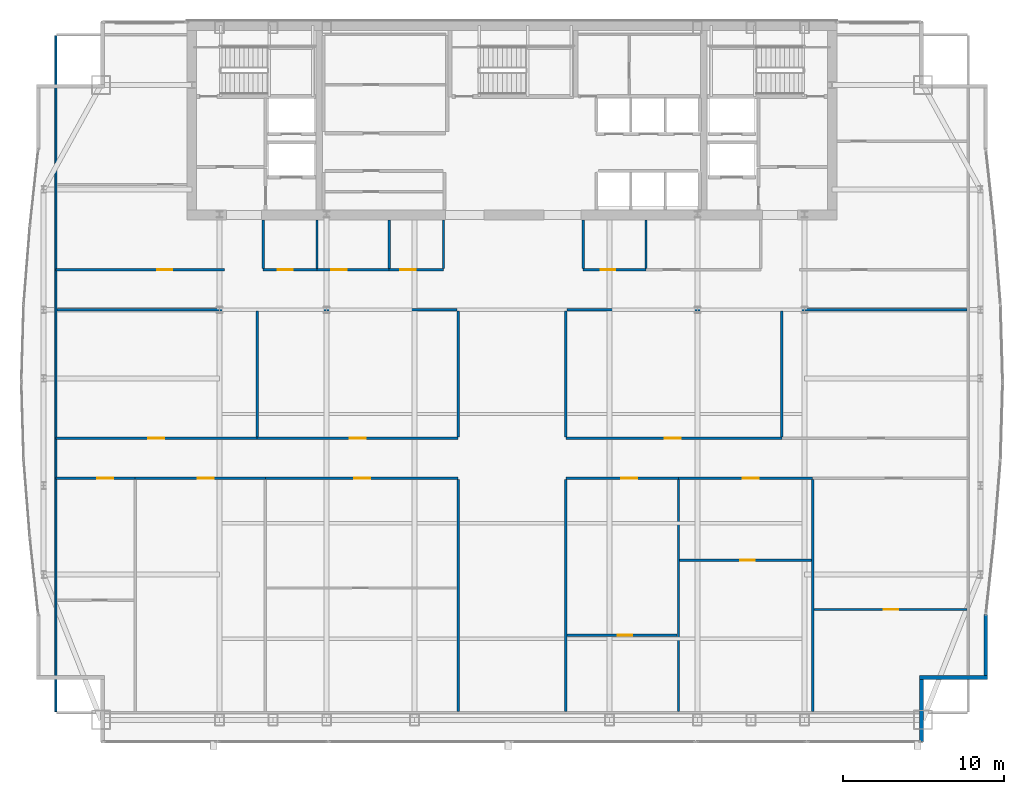
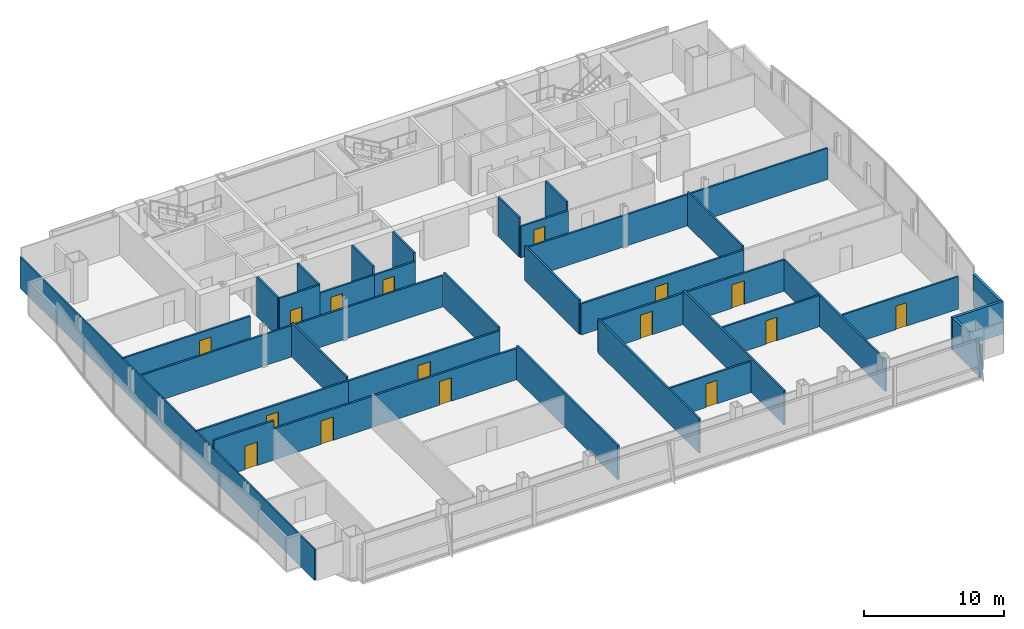
# One storey, part 27 of 32: 36 walls, 16 doors, 16 openings.
"""IFC4 building model written with IfcOpenShell, lengths in metres."""

from ifc_helpers import new_model, si_unit, direction, frame, frame_2d, origin, place, context, subcontext, project, spatial, rectangle, extrude, material, layer, layer_set, type_object, element, fill, save


model = new_model("IFC4")

# Units and contexts
model_context = context("Model", 3, precision=1e-05, world=origin(), true_north=direction((0.0, 1.0)))
body_context = subcontext(model_context, "Body", "Model", "MODEL_VIEW")
ifc_project = project(units=[si_unit("LENGTHUNIT", "METRE"), si_unit("AREAUNIT", "SQUARE_METRE"), si_unit("VOLUMEUNIT", "CUBIC_METRE"), si_unit("PLANEANGLEUNIT", "RADIAN"), si_unit("MASSUNIT", "GRAM", prefix="KILO")], contexts=[model_context])

# Site, building, storey
site_placement = place(None, origin())
site = spatial("IfcSite", under=ifc_project, at=site_placement, CompositionType="ELEMENT")
building_placement = place(site_placement, origin())
building = spatial("IfcBuilding", under=site, at=building_placement, Name="Khoronbel Lancet Exchange", CompositionType="ELEMENT")
storey_placement = place(building_placement, frame((0.0, 0.0, 192.199951171875)))
storey = spatial("IfcBuildingStorey", under=building, at=storey_placement, Name="L48", CompositionType="ELEMENT", Elevation=192.199951171875)

# Walls
ifc_material_1 = material(Name="Precast concrete C40/50", Category="concrete")
ifc_layer_1 = layer(ifc_material_1, 0.25, Name="Precast concrete C40/50")
ifc_layer_set_1 = layer_set([ifc_layer_1], Name="Precast concrete C40/50")
wall_type_1 = type_object("IfcWallType", Name="WL-EXT250", PredefinedType="SOLIDWALL", material=ifc_layer_set_1)
wall_1_placement = place(storey_placement, frame((65.9599609375, 16.724853515625, 0.0), z_axis=(0.0, 0.0, 1.0), x_axis=(0.0, -1.0, 0.0)))
element("IfcWall", 1, at=wall_1_placement, inside=storey, type_object=wall_type_1, Name="Level L48 notched-corner limestone pier 23", PredefinedType="SOLIDWALL", context=body_context, shape_type="SweptSolid", body=[
    extrude(rectangle(XDim=3.824951171875, YDim=0.219970703125, at=frame_2d((1.91259765625, 0.0))), origin(), (0.0, 0.0, 1.0), 2.830078125),
])
wall_2_placement = place(storey_placement, frame((66.070068359375, 12.7900390625, 0.0), z_axis=(0.0, 0.0, 1.0), x_axis=(-1.0, 0.0, 0.0)))
element("IfcWall", 2, at=wall_2_placement, inside=storey, type_object=wall_type_1, Name="Level L48 notched-corner limestone pier 24", PredefinedType="SOLIDWALL", context=body_context, shape_type="SweptSolid", body=[
    extrude(rectangle(XDim=4.219970703125, YDim=0.219970703125, at=frame_2d((2.10986328125, 0.0))), origin(), (0.0, 0.0, 1.0), 2.830078125),
])
wall_3_placement = place(storey_placement, frame((61.9599609375, 12.679931640625, 0.0), z_axis=(0.0, 0.0, 1.0), x_axis=(0.0, -1.0, 0.0)))
element("IfcWall", 3, at=wall_3_placement, inside=storey, type_object=wall_type_1, Name="Level L48 notched-corner limestone pier 25", PredefinedType="SOLIDWALL", context=body_context, shape_type="SweptSolid", body=[
    extrude(rectangle(XDim=3.909912109375, YDim=0.219970703125, at=frame_2d((1.955078125, 0.0))), origin(), (0.0, 0.0, 1.0), 2.830078125),
])
ifc_material_2 = material(Name="Acoustic Metal-Stud & Mineral-Wool Gypsum Partition 120 mm", Category="gypsum")
ifc_layer_2 = layer(ifc_material_2, 0.1201171875, Name="Acoustic Metal-Stud & Mineral-Wool Gypsum Partition 120 mm")
ifc_layer_set_2 = layer_set([ifc_layer_2], Name="Acoustic Metal-Stud & Mineral-Wool Gypsum Partition 120 mm")
wall_type_2 = type_object("IfcWallType", Name="WL-PRT120", PredefinedType="PARTITIONING", material=ifc_layer_set_2)
for number, where, z_axis, x_axis, name in (
    (4, (20.949951171875, 38.280029296875, 0.0), (0.0, 0.0, 1.0), (0.0, 1.0, 0.0), "Level L48 interior partition PW-WC-0"),
    (5, (24.300048828125, 38.280029296875, 0.0), (0.0, 0.0, 1.0), (0.0, 1.0, 0.0), "Level L48 interior partition PW-WC-1"),
    (6, (28.800048828125, 38.280029296875, 0.0), (0.0, 0.0, 1.0), (0.0, 1.0, 0.0), "Level L48 interior partition PW-WC-2"),
    (7, (32.179931640625, 38.280029296875, 0.0), (0.0, 0.0, 1.0), (0.0, 1.0, 0.0), "Level L48 interior partition PW-WC-3"),
    (8, (40.8798828125, 38.280029296875, 0.0), (0.0, 0.0, 1.0), (0.0, 1.0, 0.0), "Level L48 interior partition PW-NP-0"),
    (9, (44.800048828125, 38.280029296875, 0.0), (0.0, 0.0, 1.0), (0.0, 1.0, 0.0), "Level L48 interior partition PW-NP-M"),
):
    element("IfcWall", number, at=place(storey_placement, frame(where, z_axis=z_axis, x_axis=x_axis)), inside=storey, type_object=wall_type_2, Name=name, PredefinedType="PARTITIONING", context=body_context, shape_type="SweptSolid", body=[
        extrude(rectangle(XDim=3.02001953125, YDim=0.14990234375, at=frame_2d((1.510009765625, 0.0))), origin(), (0.0, 0.0, 1.0), 3.43994140625),
    ])

# Wall, opening, door
wall_4_placement = place(storey_placement, frame((39.8798828125, 15.41796875, 0.0), z_axis=(0.0, 0.0, 1.0), x_axis=(1.0, 0.0, 0.0)))
wall_4 = element("IfcWall", 10, at=wall_4_placement, inside=storey, type_object=wall_type_2, Name="Level L48 interior partition PW-Z3SE-H1", PredefinedType="PARTITIONING", context=body_context, shape_type="SweptSolid", body=[
    extrude(rectangle(XDim=6.859619140625, YDim=0.14990234375, at=frame_2d((3.4296875, 0.0))), origin(), (0.0, 0.0, 1.0), 2.72998046875),
])
opening_1_placement = place(wall_4_placement, frame((3.15869140625, 0.0, 0.0)))
opening_1 = element("IfcOpeningElement", 11, at=opening_1_placement, cuts=wall_4, Name="Opening D5", PredefinedType="OPENING", context=body_context, shape_type="SweptSolid", body=[
    extrude(rectangle(XDim=0.89990234375, YDim=2.050048828125, at=frame_2d((0.449951171875, 1.02490234375))), frame((0.0, 0.0849609375, 0.0), z_axis=(0.0, -1.0, 0.0), x_axis=(1.0, 0.0, 0.0)), (0.0, 0.0, 1.0), 0.169921875),
])
ifc_material_3 = material(Name="Acoustic Timber Pantry & Support Door", Category="wood")
door_type_1 = type_object("IfcDoorType", Name="DR-D5", OperationType="NOTDEFINED", PredefinedType="DOOR", material=ifc_material_3)
door_1_placement = place(opening_1_placement, origin())
door_1 = element("IfcDoor", 12, at=door_1_placement, inside=storey, type_object=door_type_1, Name="Z3SE inner door 1 L48-1", OperationType="SINGLE_SWING_RIGHT", OverallHeight=2.050048828125, OverallWidth=0.89990234375, PredefinedType="DOOR", context=body_context, shape_type="SweptSolid", body=[
    extrude(rectangle(XDim=0.89990234375, YDim=2.050048828125, at=frame_2d((0.449951171875, 1.02490234375))), frame((0.0, 0.02490234375, 0.0), z_axis=(0.0, -1.0, 0.0), x_axis=(1.0, 0.0, 0.0)), (0.0, 0.0, 1.0), 0.050048828125),
])
fill(opening_1, door_1)

wall_5_placement = place(storey_placement, frame((46.899658203125, 20.090087890625, 0.0), z_axis=(0.0, 0.0, 1.0), x_axis=(1.0, 0.0, 0.0)))
wall_5 = element("IfcWall", 13, at=wall_5_placement, inside=storey, type_object=wall_type_2, Name="Level L48 interior partition PW-Z3SE-H2", PredefinedType="PARTITIONING", context=body_context, shape_type="SweptSolid", body=[
    extrude(rectangle(XDim=8.196533203125, YDim=0.14990234375, at=frame_2d((4.09814453125, 0.0))), origin(), (0.0, 0.0, 1.0), 2.72998046875),
])
opening_2_placement = place(wall_5_placement, frame((3.760498046875, 0.0, 0.0)))
opening_2 = element("IfcOpeningElement", 14, at=opening_2_placement, cuts=wall_5, Name="Opening D5", PredefinedType="OPENING", context=body_context, shape_type="SweptSolid", body=[
    extrude(rectangle(XDim=0.89990234375, YDim=2.050048828125, at=frame_2d((0.449951171875, 1.02490234375))), frame((0.0, 0.0849609375, 0.0), z_axis=(0.0, -1.0, 0.0), x_axis=(1.0, 0.0, 0.0)), (0.0, 0.0, 1.0), 0.169921875),
])
door_2_placement = place(opening_2_placement, origin())
door_2 = element("IfcDoor", 15, at=door_2_placement, inside=storey, type_object=door_type_1, Name="Z3SE inner door 2 L48-1", OperationType="SINGLE_SWING_RIGHT", OverallHeight=2.050048828125, OverallWidth=0.89990234375, PredefinedType="DOOR", context=body_context, shape_type="SweptSolid", body=[
    extrude(rectangle(XDim=0.89990234375, YDim=2.050048828125, at=frame_2d((0.449951171875, 1.02490234375))), frame((0.0, 0.02490234375, 0.0), z_axis=(0.0, -1.0, 0.0), x_axis=(1.0, 0.0, 0.0)), (0.0, 0.0, 1.0), 0.050048828125),
])
fill(opening_2, door_2)

wall_6_placement = place(storey_placement, frame((55.25634765625, 17.02392578125, 0.0), z_axis=(0.0, 0.0, 1.0), x_axis=(1.0, 0.0, 0.0)))
wall_6 = element("IfcWall", 16, at=wall_6_placement, inside=storey, type_object=wall_type_2, Name="Level L48 interior partition PW-Z3SE-H3", PredefinedType="PARTITIONING", context=body_context, shape_type="SweptSolid", body=[
    extrude(rectangle(XDim=9.548583984375, YDim=0.14990234375, at=frame_2d((4.7744140625, 0.0))), origin(), (0.0, 0.0, 1.0), 2.830078125),
])
opening_3_placement = place(wall_6_placement, frame((4.3623046875, 0.0, 0.0)))
opening_3 = element("IfcOpeningElement", 17, at=opening_3_placement, cuts=wall_6, Name="Opening D5", PredefinedType="OPENING", context=body_context, shape_type="SweptSolid", body=[
    extrude(rectangle(XDim=0.89990234375, YDim=2.050048828125, at=frame_2d((0.449951171875, 1.02490234375))), frame((0.0, 0.0849609375, 0.0), z_axis=(0.0, -1.0, 0.0), x_axis=(1.0, 0.0, 0.0)), (0.0, 0.0, 1.0), 0.169921875),
])
door_3_placement = place(opening_3_placement, origin())
door_3 = element("IfcDoor", 18, at=door_3_placement, inside=storey, type_object=door_type_1, Name="Z3SE inner door 3 L48-1", OperationType="SINGLE_SWING_RIGHT", OverallHeight=2.050048828125, OverallWidth=0.89990234375, PredefinedType="DOOR", context=body_context, shape_type="SweptSolid", body=[
    extrude(rectangle(XDim=0.89990234375, YDim=2.050048828125, at=frame_2d((0.449951171875, 1.02490234375))), frame((0.0, 0.02490234375, 0.0), z_axis=(0.0, -1.0, 0.0), x_axis=(1.0, 0.0, 0.0)), (0.0, 0.0, 1.0), 0.050048828125),
])
fill(opening_3, door_3)

# Wall
wall_7_placement = place(storey_placement, frame((8.030029296875, 10.6650390625, 0.0), z_axis=(0.0, 0.0, 1.0), x_axis=(0.0, 1.0, 0.0)))
element("IfcWall", 19, at=wall_7_placement, inside=storey, type_object=wall_type_2, Name="Level L48 interior partition PW-LIN-W", PredefinedType="PARTITIONING", context=body_context, shape_type="SweptSolid", body=[
    extrude(rectangle(XDim=42.10986328125, YDim=0.1201171875, at=frame_2d((21.054931640625, 0.0))), origin(), (0.0, 0.0, 1.0), 2.72998046875),
])

# Wall, opening, door
ifc_material_4 = material(Name="Fire-Rated Twin-Stud Acoustic Gypsum Partition 150 mm", Category="gypsum")
ifc_layer_3 = layer(ifc_material_4, 0.14990234375, Name="Fire-Rated Twin-Stud Acoustic Gypsum Partition 150 mm")
ifc_layer_set_3 = layer_set([ifc_layer_3], Name="Fire-Rated Twin-Stud Acoustic Gypsum Partition 150 mm")
wall_type_3 = type_object("IfcWallType", Name="WL-PRT150C", PredefinedType="PARTITIONING", material=ifc_layer_set_3)
wall_8_placement = place(storey_placement, frame((20.949951171875, 38.199951171875, 0.0), z_axis=(0.0, 0.0, 1.0), x_axis=(1.0, 0.0, 0.0)))
wall_8 = element("IfcWall", 20, at=wall_8_placement, inside=storey, type_object=wall_type_3, Name="Level L48 interior partition PW-WC-S1", PredefinedType="PARTITIONING", context=body_context, shape_type="SweptSolid", body=[
    extrude(rectangle(XDim=3.35009765625, YDim=0.14990234375, at=frame_2d((1.675048828125, 0.0))), origin(), (0.0, 0.0, 1.0), 3.43994140625),
])
opening_4_placement = place(wall_8_placement, frame((0.89990234375, 0.0, 0.0)))
opening_4 = element("IfcOpeningElement", 21, at=opening_4_placement, cuts=wall_8, Name="Opening D4", PredefinedType="OPENING", context=body_context, shape_type="SweptSolid", body=[
    extrude(rectangle(XDim=0.949951171875, YDim=2.050048828125, at=frame_2d((0.47509765625, 1.02490234375))), frame((0.0, 0.0849609375, 0.0), z_axis=(0.0, -1.0, 0.0), x_axis=(1.0, 0.0, 0.0)), (0.0, 0.0, 1.0), 0.169921875),
])
ifc_material_5 = material(Name="Moisture-Resistant HPL Washroom Door", Category="wood")
door_type_2 = type_object("IfcDoorType", Name="DR-D4", OperationType="NOTDEFINED", PredefinedType="DOOR", material=ifc_material_5)
door_4_placement = place(opening_4_placement, origin())
door_4 = element("IfcDoor", 22, at=door_4_placement, inside=storey, type_object=door_type_2, Name="Male washroom door L48-1", OperationType="SINGLE_SWING_LEFT", OverallHeight=2.050048828125, OverallWidth=0.949951171875, PredefinedType="DOOR", context=body_context, shape_type="SweptSolid", body=[
    extrude(rectangle(XDim=0.949951171875, YDim=2.050048828125, at=frame_2d((0.47509765625, 1.02490234375))), frame((0.0, 0.02490234375, 0.0), z_axis=(0.0, -1.0, 0.0), x_axis=(1.0, 0.0, 0.0)), (0.0, 0.0, 1.0), 0.050048828125),
])
fill(opening_4, door_4)

wall_9_placement = place(storey_placement, frame((24.300048828125, 38.199951171875, 0.0), z_axis=(0.0, 0.0, 1.0), x_axis=(1.0, 0.0, 0.0)))
wall_9 = element("IfcWall", 23, at=wall_9_placement, inside=storey, type_object=wall_type_3, Name="Level L48 interior partition PW-WC-S2", PredefinedType="PARTITIONING", context=body_context, shape_type="SweptSolid", body=[
    extrude(rectangle(XDim=4.5, YDim=0.14990234375, at=frame_2d((2.25, 0.0))), origin(), (0.0, 0.0, 1.0), 2.72998046875),
])
opening_5_placement = place(wall_9_placement, frame((0.89990234375, 0.0, 0.0)))
opening_5 = element("IfcOpeningElement", 24, at=opening_5_placement, cuts=wall_9, Name="Opening D4", PredefinedType="OPENING", context=body_context, shape_type="SweptSolid", body=[
    extrude(rectangle(XDim=0.949951171875, YDim=2.050048828125, at=frame_2d((0.47509765625, 1.02490234375))), frame((0.0, 0.0849609375, 0.0), z_axis=(0.0, -1.0, 0.0), x_axis=(1.0, 0.0, 0.0)), (0.0, 0.0, 1.0), 0.169921875),
])
door_5_placement = place(opening_5_placement, origin())
door_5 = element("IfcDoor", 25, at=door_5_placement, inside=storey, type_object=door_type_2, Name="Female washroom door L48-1", OperationType="SINGLE_SWING_RIGHT", OverallHeight=2.050048828125, OverallWidth=0.949951171875, PredefinedType="DOOR", context=body_context, shape_type="SweptSolid", body=[
    extrude(rectangle(XDim=0.949951171875, YDim=2.050048828125, at=frame_2d((0.47509765625, 1.02490234375))), frame((0.0, 0.02490234375, 0.0), z_axis=(0.0, -1.0, 0.0), x_axis=(1.0, 0.0, 0.0)), (0.0, 0.0, 1.0), 0.050048828125),
])
fill(opening_5, door_5)

wall_10_placement = place(storey_placement, frame((28.800048828125, 38.199951171875, 0.0), z_axis=(0.0, 0.0, 1.0), x_axis=(1.0, 0.0, 0.0)))
wall_10 = element("IfcWall", 26, at=wall_10_placement, inside=storey, type_object=wall_type_3, Name="Level L48 interior partition PW-WC-S3", PredefinedType="PARTITIONING", context=body_context, shape_type="SweptSolid", body=[
    extrude(rectangle(XDim=3.3798828125, YDim=0.14990234375, at=frame_2d((1.68994140625, 0.0))), origin(), (0.0, 0.0, 1.0), 2.72998046875),
])
opening_6_placement = place(wall_10_placement, frame((0.699951171875, 0.0, 0.0)))
opening_6 = element("IfcOpeningElement", 27, at=opening_6_placement, cuts=wall_10, Name="Opening D4", PredefinedType="OPENING", context=body_context, shape_type="SweptSolid", body=[
    extrude(rectangle(XDim=0.949951171875, YDim=2.050048828125, at=frame_2d((0.47509765625, 1.02490234375))), frame((0.0, 0.0849609375, 0.0), z_axis=(0.0, -1.0, 0.0), x_axis=(1.0, 0.0, 0.0)), (0.0, 0.0, 1.0), 0.169921875),
])
door_6_placement = place(opening_6_placement, origin())
door_6 = element("IfcDoor", 28, at=door_6_placement, inside=storey, type_object=door_type_2, Name="Accessible WC door L48-1", OperationType="SINGLE_SWING_LEFT", OverallHeight=2.050048828125, OverallWidth=0.949951171875, PredefinedType="DOOR", context=body_context, shape_type="SweptSolid", body=[
    extrude(rectangle(XDim=0.949951171875, YDim=2.050048828125, at=frame_2d((0.47509765625, 1.02490234375))), frame((0.0, 0.02490234375, 0.0), z_axis=(0.0, -1.0, 0.0), x_axis=(1.0, 0.0, 0.0)), (0.0, 0.0, 1.0), 0.050048828125),
])
fill(opening_6, door_6)

wall_11_placement = place(storey_placement, frame((40.8798828125, 38.199951171875, 0.0), z_axis=(0.0, 0.0, 1.0), x_axis=(1.0, 0.0, 0.0)))
wall_11 = element("IfcWall", 29, at=wall_11_placement, inside=storey, type_object=wall_type_3, Name="Level L48 interior partition PW-NP-S1", PredefinedType="PARTITIONING", context=body_context, shape_type="SweptSolid", body=[
    extrude(rectangle(XDim=3.920166015625, YDim=0.14990234375, at=frame_2d((1.9599609375, 0.0))), origin(), (0.0, 0.0, 1.0), 2.72998046875),
])
opening_7_placement = place(wall_11_placement, frame((1.10009765625, 0.0, 0.0)))
opening_7 = element("IfcOpeningElement", 30, at=opening_7_placement, cuts=wall_11, Name="Opening D5", PredefinedType="OPENING", context=body_context, shape_type="SweptSolid", body=[
    extrude(rectangle(XDim=0.89990234375, YDim=2.050048828125, at=frame_2d((0.449951171875, 1.02490234375))), frame((0.0, 0.0849609375, 0.0), z_axis=(0.0, -1.0, 0.0), x_axis=(1.0, 0.0, 0.0)), (0.0, 0.0, 1.0), 0.169921875),
])
door_7_placement = place(opening_7_placement, origin())
door_7 = element("IfcDoor", 31, at=door_7_placement, inside=storey, type_object=door_type_1, Name="Floor refreshment pantry door L48-1", OperationType="SINGLE_SWING_RIGHT", OverallHeight=2.050048828125, OverallWidth=0.89990234375, PredefinedType="DOOR", context=body_context, shape_type="SweptSolid", body=[
    extrude(rectangle(XDim=0.89990234375, YDim=2.050048828125, at=frame_2d((0.449951171875, 1.02490234375))), frame((0.0, 0.02490234375, 0.0), z_axis=(0.0, -1.0, 0.0), x_axis=(1.0, 0.0, 0.0)), (0.0, 0.0, 1.0), 0.050048828125),
])
fill(opening_7, door_7)

wall_12_placement = place(storey_placement, frame((8.030029296875, 38.199951171875, 0.0), z_axis=(0.0, 0.0, 1.0), x_axis=(1.0, 0.0, 0.0)))
wall_12 = element("IfcWall", 32, at=wall_12_placement, inside=storey, type_object=wall_type_3, Name="Level L48 interior partition PW-NW-S", PredefinedType="PARTITIONING", context=body_context, shape_type="SweptSolid", body=[
    extrude(rectangle(XDim=10.52001953125, YDim=0.14990234375, at=frame_2d((5.260009765625, 0.0))), origin(), (0.0, 0.0, 1.0), 2.72998046875),
])
opening_8_placement = place(wall_12_placement, frame((6.320068359375, 0.0, 0.0)))
opening_8 = element("IfcOpeningElement", 33, at=opening_8_placement, cuts=wall_12, Name="Opening D1", PredefinedType="OPENING", context=body_context, shape_type="SweptSolid", body=[
    extrude(rectangle(XDim=0.949951171875, YDim=2.050048828125, at=frame_2d((0.47509765625, 1.02490234375))), frame((0.0, 0.0849609375, 0.0), z_axis=(0.0, -1.0, 0.0), x_axis=(1.0, 0.0, 0.0)), (0.0, 0.0, 1.0), 0.169921875),
])
ifc_material_6 = material(Name="Acoustic Veneered Timber & Bronze Frame Door", Category="wood")
door_type_3 = type_object("IfcDoorType", Name="DR-D1", OperationType="NOTDEFINED", PredefinedType="DOOR", material=ifc_material_6)
door_8_placement = place(opening_8_placement, origin())
door_8 = element("IfcDoor", 34, at=door_8_placement, inside=storey, type_object=door_type_3, Name="NW corner room door L48-1", OperationType="SINGLE_SWING_RIGHT", OverallHeight=2.050048828125, OverallWidth=0.949951171875, PredefinedType="DOOR", context=body_context, shape_type="SweptSolid", body=[
    extrude(rectangle(XDim=0.949951171875, YDim=2.050048828125, at=frame_2d((0.47509765625, 1.02490234375))), frame((0.0, 0.02490234375, 0.0), z_axis=(0.0, -1.0, 0.0), x_axis=(1.0, 0.0, 0.0)), (0.0, 0.0, 1.0), 0.050048828125),
])
fill(opening_8, door_8)

# Walls
for number, where, z_axis, x_axis, name in (
    (35, (33.10009765625, 10.6650390625, 0.0), (0.0, 0.0, 1.0), (0.0, 1.0, 0.0), "Level L48 interior partition PW-Z3-CW1"),
    (36, (39.800048828125, 10.6650390625, 0.0), (0.0, 0.0, 1.0), (0.0, 1.0, 0.0), "Level L48 interior partition PW-Z3-CE1"),
):
    element("IfcWall", number, at=place(storey_placement, frame(where, z_axis=z_axis, x_axis=x_axis)), inside=storey, type_object=wall_type_3, Name=name, PredefinedType="PARTITIONING", context=body_context, shape_type="SweptSolid", body=[
        extrude(rectangle(XDim=14.449951171875, YDim=0.14990234375, at=frame_2d((7.22509765625, 0.0))), origin(), (0.0, 0.0, 1.0), 2.97998046875),
    ])
for number, where, z_axis, x_axis, name in (
    (37, (33.10009765625, 27.784912109375, 0.0), (0.0, 0.0, 1.0), (0.0, 1.0, 0.0), "Level L48 interior partition PW-Z3-CW2"),
    (38, (39.800048828125, 27.784912109375, 0.0), (0.0, 0.0, 1.0), (0.0, 1.0, 0.0), "Level L48 interior partition PW-Z3-CE2"),
):
    element("IfcWall", number, at=place(storey_placement, frame(where, z_axis=z_axis, x_axis=x_axis)), inside=storey, type_object=wall_type_3, Name=name, PredefinedType="PARTITIONING", context=body_context, shape_type="SweptSolid", body=[
        extrude(rectangle(XDim=7.835205078125, YDim=0.14990234375, at=frame_2d((3.91748046875, 0.0))), origin(), (0.0, 0.0, 1.0), 2.97998046875),
    ])
for number, where, z_axis, x_axis, name in (
    (39, (8.094970703125, 35.699951171875, 0.0), (0.0, 0.0, 1.0), (1.0, 0.0, 0.0), "Level L48 interior partition PW-Z3-WN"),
    (40, (39.8798828125, 35.699951171875, 0.0), (0.0, 0.0, 1.0), (1.0, 0.0, 0.0), "Level L48 interior partition PW-Z3-EN"),
):
    element("IfcWall", number, at=place(storey_placement, frame(where, z_axis=z_axis, x_axis=x_axis)), inside=storey, type_object=wall_type_3, Name=name, PredefinedType="PARTITIONING", context=body_context, shape_type="SweptSolid", body=[
        extrude(rectangle(XDim=24.925048828125, YDim=0.14990234375, at=frame_2d((12.46240234375, 0.0))), origin(), (0.0, 0.0, 1.0), 2.72998046875),
    ])
wall_13_placement = place(storey_placement, frame((46.819580078125, 10.6650390625, 0.0), z_axis=(0.0, 0.0, 1.0), x_axis=(0.0, 1.0, 0.0)))
element("IfcWall", 41, at=wall_13_placement, inside=storey, type_object=wall_type_3, Name="Level L48 interior partition PW-Z3SE-V1", PredefinedType="PARTITIONING", context=body_context, shape_type="SweptSolid", body=[
    extrude(rectangle(XDim=14.449951171875, YDim=0.14990234375, at=frame_2d((7.22509765625, 0.0))), origin(), (0.0, 0.0, 1.0), 2.97998046875),
])
wall_14_placement = place(storey_placement, frame((55.17626953125, 10.6650390625, 0.0), z_axis=(0.0, 0.0, 1.0), x_axis=(0.0, 1.0, 0.0)))
element("IfcWall", 42, at=wall_14_placement, inside=storey, type_object=wall_type_3, Name="Level L48 interior partition PW-Z3SE-V2", PredefinedType="PARTITIONING", context=body_context, shape_type="SweptSolid", body=[
    extrude(rectangle(XDim=14.449951171875, YDim=0.14990234375, at=frame_2d((7.22509765625, 0.0))), origin(), (0.0, 0.0, 1.0), 2.72998046875),
])
for number, where, z_axis, x_axis, name in (
    (43, (20.5771484375, 27.784912109375, 0.0), (0.0, 0.0, 1.0), (0.0, 1.0, 0.0), "Level L48 interior partition PW-Z3NW-V1"),
    (44, (53.263427734375, 27.784912109375, 0.0), (0.0, 0.0, 1.0), (0.0, 1.0, 0.0), "Level L48 interior partition PW-Z3NE-V1"),
):
    element("IfcWall", number, at=place(storey_placement, frame(where, z_axis=z_axis, x_axis=x_axis)), inside=storey, type_object=wall_type_3, Name=name, PredefinedType="PARTITIONING", context=body_context, shape_type="SweptSolid", body=[
        extrude(rectangle(XDim=7.835205078125, YDim=0.14990234375, at=frame_2d((3.91748046875, 0.0))), origin(), (0.0, 0.0, 1.0), 2.97998046875),
    ])

# Wall, opening, door
ifc_material_7 = material(Name="Fire-Rated Twin-Stud Acoustic Gypsum Partition 160 mm", Category="gypsum")
ifc_layer_4 = layer(ifc_material_7, 0.159912109375, Name="Fire-Rated Twin-Stud Acoustic Gypsum Partition 160 mm")
ifc_layer_set_4 = layer_set([ifc_layer_4], Name="Fire-Rated Twin-Stud Acoustic Gypsum Partition 160 mm")
wall_type_4 = type_object("IfcWallType", Name="WL-PRT160C", PredefinedType="PARTITIONING", material=ifc_layer_set_4)
wall_15_placement = place(storey_placement, frame((8.030029296875, 25.199951171875, 0.0), z_axis=(0.0, 0.0, 1.0), x_axis=(1.0, 0.0, 0.0)))
wall_15 = element("IfcWall", 45, at=wall_15_placement, inside=storey, type_object=wall_type_4, Name="Level L48 interior partition PW-Z3SW-COR1", PredefinedType="PARTITIONING", context=body_context, shape_type="SweptSolid", body=[
    extrude(rectangle(XDim=4.94189453125, YDim=0.159912109375, at=frame_2d((2.470947265625, 0.0))), origin(), (0.0, 0.0, 1.0), 3.43994140625),
])
opening_9_placement = place(wall_15_placement, frame((2.57568359375, 0.0, 0.0)))
opening_9 = element("IfcOpeningElement", 46, at=opening_9_placement, cuts=wall_15, Name="Opening D2", PredefinedType="OPENING", context=body_context, shape_type="SweptSolid", body=[
    extrude(rectangle(XDim=1.0, YDim=2.050048828125, at=frame_2d((0.5, 1.02490234375))), frame((0.0, 0.08984375, 0.0), z_axis=(0.0, -1.0, 0.0), x_axis=(1.0, 0.0, 0.0)), (0.0, 0.0, 1.0), 0.179931640625),
])
door_type_4 = type_object("IfcDoorType", Name="DR-D2", OperationType="NOTDEFINED", PredefinedType="DOOR", material=ifc_material_6)
door_9_placement = place(opening_9_placement, origin())
door_9 = element("IfcDoor", 47, at=door_9_placement, inside=storey, type_object=door_type_4, Name="Z3SW bay 1 door L48-1", OperationType="SINGLE_SWING_RIGHT", OverallHeight=2.050048828125, OverallWidth=1.0, PredefinedType="DOOR", context=body_context, shape_type="SweptSolid", body=[
    extrude(rectangle(XDim=1.0, YDim=2.050048828125, at=frame_2d((0.5, 1.02490234375))), frame((0.0, 0.02490234375, 0.0), z_axis=(0.0, -1.0, 0.0), x_axis=(1.0, 0.0, 0.0)), (0.0, 0.0, 1.0), 0.050048828125),
])
fill(opening_9, door_9)

wall_16_placement = place(storey_placement, frame((12.971923828125, 25.199951171875, 0.0), z_axis=(0.0, 0.0, 1.0), x_axis=(1.0, 0.0, 0.0)))
wall_16 = element("IfcWall", 48, at=wall_16_placement, inside=storey, type_object=wall_type_4, Name="Level L48 interior partition PW-Z3SW-COR2", PredefinedType="PARTITIONING", context=body_context, shape_type="SweptSolid", body=[
    extrude(rectangle(XDim=8.116455078125, YDim=0.159912109375, at=frame_2d((4.05810546875, 0.0))), origin(), (0.0, 0.0, 1.0), 2.72998046875),
])
opening_10_placement = place(wall_16_placement, frame((3.908935546875, 0.0, 0.0)))
opening_10 = element("IfcOpeningElement", 49, at=opening_10_placement, cuts=wall_16, Name="Opening D2", PredefinedType="OPENING", context=body_context, shape_type="SweptSolid", body=[
    extrude(rectangle(XDim=1.0, YDim=2.050048828125, at=frame_2d((0.5, 1.02490234375))), frame((0.0, 0.08984375, 0.0), z_axis=(0.0, -1.0, 0.0), x_axis=(1.0, 0.0, 0.0)), (0.0, 0.0, 1.0), 0.179931640625),
])
door_10_placement = place(opening_10_placement, origin())
door_10 = element("IfcDoor", 50, at=door_10_placement, inside=storey, type_object=door_type_4, Name="Z3SW bay 2 door L48-1", OperationType="SINGLE_SWING_RIGHT", OverallHeight=2.050048828125, OverallWidth=1.0, PredefinedType="DOOR", context=body_context, shape_type="SweptSolid", body=[
    extrude(rectangle(XDim=1.0, YDim=2.050048828125, at=frame_2d((0.5, 1.02490234375))), frame((0.0, 0.02490234375, 0.0), z_axis=(0.0, -1.0, 0.0), x_axis=(1.0, 0.0, 0.0)), (0.0, 0.0, 1.0), 0.050048828125),
])
fill(opening_10, door_10)

wall_17_placement = place(storey_placement, frame((21.08837890625, 25.199951171875, 0.0), z_axis=(0.0, 0.0, 1.0), x_axis=(1.0, 0.0, 0.0)))
wall_17 = element("IfcWall", 51, at=wall_17_placement, inside=storey, type_object=wall_type_4, Name="Level L48 interior partition PW-Z3SW-COR3", PredefinedType="PARTITIONING", context=body_context, shape_type="SweptSolid", body=[
    extrude(rectangle(XDim=12.01171875, YDim=0.159912109375, at=frame_2d((6.005859375, 0.0))), origin(), (0.0, 0.0, 1.0), 2.72998046875),
])
opening_11_placement = place(wall_17_placement, frame((5.544921875, 0.0, 0.0)))
opening_11 = element("IfcOpeningElement", 52, at=opening_11_placement, cuts=wall_17, Name="Opening D2", PredefinedType="OPENING", context=body_context, shape_type="SweptSolid", body=[
    extrude(rectangle(XDim=1.0, YDim=2.050048828125, at=frame_2d((0.5, 1.02490234375))), frame((0.0, 0.08984375, 0.0), z_axis=(0.0, -1.0, 0.0), x_axis=(1.0, 0.0, 0.0)), (0.0, 0.0, 1.0), 0.179931640625),
])
door_11_placement = place(opening_11_placement, origin())
door_11 = element("IfcDoor", 53, at=door_11_placement, inside=storey, type_object=door_type_4, Name="Z3SW bay 3 door L48-1", OperationType="SINGLE_SWING_LEFT", OverallHeight=2.050048828125, OverallWidth=1.0, PredefinedType="DOOR", context=body_context, shape_type="SweptSolid", body=[
    extrude(rectangle(XDim=1.0, YDim=2.050048828125, at=frame_2d((0.5, 1.02490234375))), frame((0.0, 0.02490234375, 0.0), z_axis=(0.0, -1.0, 0.0), x_axis=(1.0, 0.0, 0.0)), (0.0, 0.0, 1.0), 0.050048828125),
])
fill(opening_11, door_11)

wall_18_placement = place(storey_placement, frame((39.800048828125, 25.199951171875, 0.0), z_axis=(0.0, 0.0, 1.0), x_axis=(1.0, 0.0, 0.0)))
wall_18 = element("IfcWall", 54, at=wall_18_placement, inside=storey, type_object=wall_type_4, Name="Level L48 interior partition PW-Z3SE-COR1", PredefinedType="PARTITIONING", context=body_context, shape_type="SweptSolid", body=[
    extrude(rectangle(XDim=7.01953125, YDim=0.159912109375, at=frame_2d((3.509765625, 0.0))), origin(), (0.0, 0.0, 1.0), 2.72998046875),
])
opening_12_placement = place(wall_18_placement, frame((3.4482421875, 0.0, 0.0)))
opening_12 = element("IfcOpeningElement", 55, at=opening_12_placement, cuts=wall_18, Name="Opening D2", PredefinedType="OPENING", context=body_context, shape_type="SweptSolid", body=[
    extrude(rectangle(XDim=1.0, YDim=2.050048828125, at=frame_2d((0.5, 1.02490234375))), frame((0.0, 0.08984375, 0.0), z_axis=(0.0, -1.0, 0.0), x_axis=(1.0, 0.0, 0.0)), (0.0, 0.0, 1.0), 0.179931640625),
])
door_12_placement = place(opening_12_placement, origin())
door_12 = element("IfcDoor", 56, at=door_12_placement, inside=storey, type_object=door_type_4, Name="Z3SE bay 1 door L48-1", OperationType="SINGLE_SWING_LEFT", OverallHeight=2.050048828125, OverallWidth=1.0, PredefinedType="DOOR", context=body_context, shape_type="SweptSolid", body=[
    extrude(rectangle(XDim=1.0, YDim=2.050048828125, at=frame_2d((0.5, 1.02490234375))), frame((0.0, 0.02490234375, 0.0), z_axis=(0.0, -1.0, 0.0), x_axis=(1.0, 0.0, 0.0)), (0.0, 0.0, 1.0), 0.050048828125),
])
fill(opening_12, door_12)

wall_19_placement = place(storey_placement, frame((46.819580078125, 25.199951171875, 0.0), z_axis=(0.0, 0.0, 1.0), x_axis=(1.0, 0.0, 0.0)))
wall_19 = element("IfcWall", 57, at=wall_19_placement, inside=storey, type_object=wall_type_4, Name="Level L48 interior partition PW-Z3SE-COR2", PredefinedType="PARTITIONING", context=body_context, shape_type="SweptSolid", body=[
    extrude(rectangle(XDim=8.356689453125, YDim=0.159912109375, at=frame_2d((4.17822265625, 0.0))), origin(), (0.0, 0.0, 1.0), 2.72998046875),
])
opening_13_placement = place(wall_19_placement, frame((4.009765625, 0.0, 0.0)))
opening_13 = element("IfcOpeningElement", 58, at=opening_13_placement, cuts=wall_19, Name="Opening D2", PredefinedType="OPENING", context=body_context, shape_type="SweptSolid", body=[
    extrude(rectangle(XDim=1.0, YDim=2.050048828125, at=frame_2d((0.5, 1.02490234375))), frame((0.0, 0.08984375, 0.0), z_axis=(0.0, -1.0, 0.0), x_axis=(1.0, 0.0, 0.0)), (0.0, 0.0, 1.0), 0.179931640625),
])
door_13_placement = place(opening_13_placement, origin())
door_13 = element("IfcDoor", 59, at=door_13_placement, inside=storey, type_object=door_type_4, Name="Z3SE bay 2 door L48-1", OperationType="SINGLE_SWING_LEFT", OverallHeight=2.050048828125, OverallWidth=1.0, PredefinedType="DOOR", context=body_context, shape_type="SweptSolid", body=[
    extrude(rectangle(XDim=1.0, YDim=2.050048828125, at=frame_2d((0.5, 1.02490234375))), frame((0.0, 0.02490234375, 0.0), z_axis=(0.0, -1.0, 0.0), x_axis=(1.0, 0.0, 0.0)), (0.0, 0.0, 1.0), 0.050048828125),
])
fill(opening_13, door_13)

wall_20_placement = place(storey_placement, frame((8.030029296875, 27.699951171875, 0.0), z_axis=(0.0, 0.0, 1.0), x_axis=(1.0, 0.0, 0.0)))
wall_20 = element("IfcWall", 60, at=wall_20_placement, inside=storey, type_object=wall_type_4, Name="Level L48 interior partition PW-Z3NW-COR1", PredefinedType="PARTITIONING", context=body_context, shape_type="SweptSolid", body=[
    extrude(rectangle(XDim=12.547119140625, YDim=0.159912109375, at=frame_2d((6.2734375, 0.0))), origin(), (0.0, 0.0, 1.0), 2.72998046875),
])
opening_14_placement = place(wall_20_placement, frame((5.769775390625, 0.0, 0.0)))
opening_14 = element("IfcOpeningElement", 61, at=opening_14_placement, cuts=wall_20, Name="Opening D2", PredefinedType="OPENING", context=body_context, shape_type="SweptSolid", body=[
    extrude(rectangle(XDim=1.0, YDim=2.050048828125, at=frame_2d((0.5, 1.02490234375))), frame((0.0, 0.08984375, 0.0), z_axis=(0.0, -1.0, 0.0), x_axis=(1.0, 0.0, 0.0)), (0.0, 0.0, 1.0), 0.179931640625),
])
door_14_placement = place(opening_14_placement, origin())
door_14 = element("IfcDoor", 62, at=door_14_placement, inside=storey, type_object=door_type_4, Name="Z3NW bay 1 door L48-1", OperationType="SINGLE_SWING_LEFT", OverallHeight=2.050048828125, OverallWidth=1.0, PredefinedType="DOOR", context=body_context, shape_type="SweptSolid", body=[
    extrude(rectangle(XDim=1.0, YDim=2.050048828125, at=frame_2d((0.5, 1.02490234375))), frame((0.0, 0.02490234375, 0.0), z_axis=(0.0, -1.0, 0.0), x_axis=(1.0, 0.0, 0.0)), (0.0, 0.0, 1.0), 0.050048828125),
])
fill(opening_14, door_14)

wall_21_placement = place(storey_placement, frame((20.5771484375, 27.699951171875, 0.0), z_axis=(0.0, 0.0, 1.0), x_axis=(1.0, 0.0, 0.0)))
wall_21 = element("IfcWall", 63, at=wall_21_placement, inside=storey, type_object=wall_type_4, Name="Level L48 interior partition PW-Z3NW-COR2", PredefinedType="PARTITIONING", context=body_context, shape_type="SweptSolid", body=[
    extrude(rectangle(XDim=12.52294921875, YDim=0.159912109375, at=frame_2d((6.261474609375, 0.0))), origin(), (0.0, 0.0, 1.0), 2.72998046875),
])
opening_15_placement = place(wall_21_placement, frame((5.759521484375, 0.0, 0.0)))
opening_15 = element("IfcOpeningElement", 64, at=opening_15_placement, cuts=wall_21, Name="Opening D2", PredefinedType="OPENING", context=body_context, shape_type="SweptSolid", body=[
    extrude(rectangle(XDim=1.0, YDim=2.050048828125, at=frame_2d((0.5, 1.02490234375))), frame((0.0, 0.08984375, 0.0), z_axis=(0.0, -1.0, 0.0), x_axis=(1.0, 0.0, 0.0)), (0.0, 0.0, 1.0), 0.179931640625),
])
door_15_placement = place(opening_15_placement, origin())
door_15 = element("IfcDoor", 65, at=door_15_placement, inside=storey, type_object=door_type_4, Name="Z3NW bay 2 door L48-1", OperationType="SINGLE_SWING_RIGHT", OverallHeight=2.050048828125, OverallWidth=1.0, PredefinedType="DOOR", context=body_context, shape_type="SweptSolid", body=[
    extrude(rectangle(XDim=1.0, YDim=2.050048828125, at=frame_2d((0.5, 1.02490234375))), frame((0.0, 0.02490234375, 0.0), z_axis=(0.0, -1.0, 0.0), x_axis=(1.0, 0.0, 0.0)), (0.0, 0.0, 1.0), 0.050048828125),
])
fill(opening_15, door_15)

wall_22_placement = place(storey_placement, frame((39.800048828125, 27.699951171875, 0.0), z_axis=(0.0, 0.0, 1.0), x_axis=(1.0, 0.0, 0.0)))
wall_22 = element("IfcWall", 66, at=wall_22_placement, inside=storey, type_object=wall_type_4, Name="Level L48 interior partition PW-Z3NE-COR1", PredefinedType="PARTITIONING", context=body_context, shape_type="SweptSolid", body=[
    extrude(rectangle(XDim=13.46337890625, YDim=0.159912109375, at=frame_2d((6.731689453125, 0.0))), origin(), (0.0, 0.0, 1.0), 2.72998046875),
])
opening_16_placement = place(wall_22_placement, frame((6.15478515625, 0.0, 0.0)))
opening_16 = element("IfcOpeningElement", 67, at=opening_16_placement, cuts=wall_22, Name="Opening D2", PredefinedType="OPENING", context=body_context, shape_type="SweptSolid", body=[
    extrude(rectangle(XDim=1.0, YDim=2.050048828125, at=frame_2d((0.5, 1.02490234375))), frame((0.0, 0.08984375, 0.0), z_axis=(0.0, -1.0, 0.0), x_axis=(1.0, 0.0, 0.0)), (0.0, 0.0, 1.0), 0.179931640625),
])
door_16_placement = place(opening_16_placement, origin())
door_16 = element("IfcDoor", 68, at=door_16_placement, inside=storey, type_object=door_type_4, Name="Z3NE bay 1 door L48-1", OperationType="SINGLE_SWING_LEFT", OverallHeight=2.050048828125, OverallWidth=1.0, PredefinedType="DOOR", context=body_context, shape_type="SweptSolid", body=[
    extrude(rectangle(XDim=1.0, YDim=2.050048828125, at=frame_2d((0.5, 1.02490234375))), frame((0.0, 0.02490234375, 0.0), z_axis=(0.0, -1.0, 0.0), x_axis=(1.0, 0.0, 0.0)), (0.0, 0.0, 1.0), 0.050048828125),
])
fill(opening_16, door_16)

save(model, "model.ifc")
